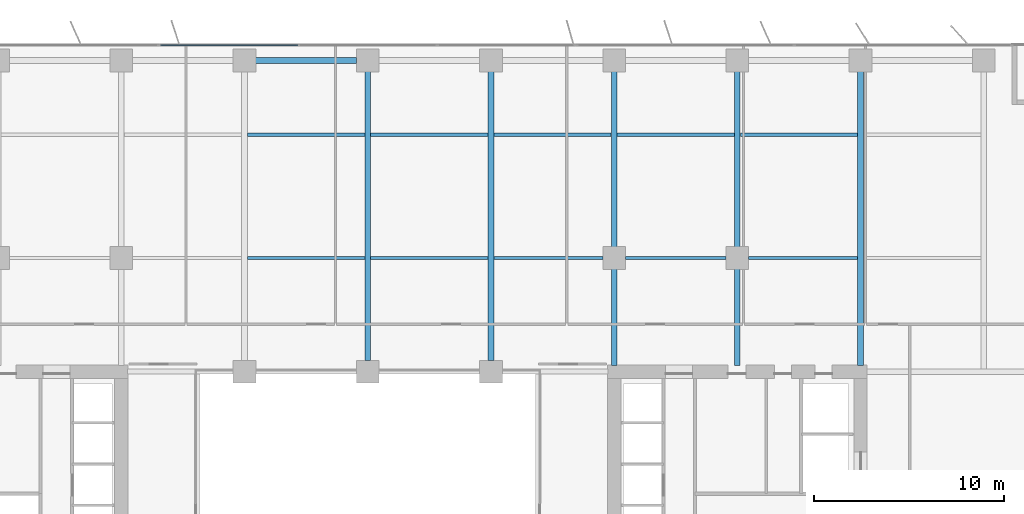
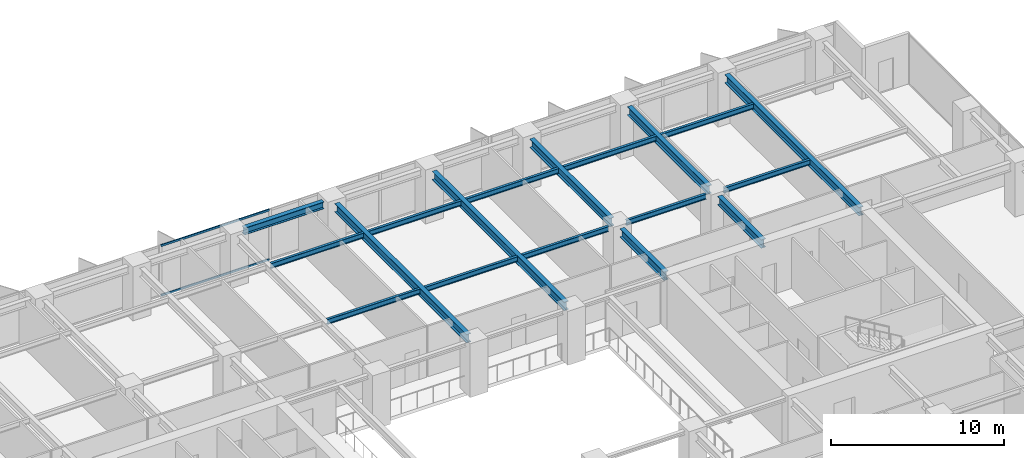
# One storey, part 8 of 20: 18 beams, 2 members, 1 element without a shape of its own.
"""IFC4 building model written with IfcOpenShell, lengths in metres."""

from ifc_helpers import new_model, si_unit, direction, frame, origin, origin_2d, place, context, subcontext, project, spatial, rectangle, i_section, extrude, material, layer, layer_set, material_profile, profile_set, type_object, element, aggregate, save


model = new_model("IFC4")

# Units and contexts
model_context = context("Model", 3, precision=1e-05, world=origin(), true_north=direction((0.0, 1.0)))
body_context = subcontext(model_context, "Body", "Model", "MODEL_VIEW")
ifc_project = project(units=[si_unit("LENGTHUNIT", "METRE"), si_unit("AREAUNIT", "SQUARE_METRE"), si_unit("VOLUMEUNIT", "CUBIC_METRE"), si_unit("PLANEANGLEUNIT", "RADIAN"), si_unit("MASSUNIT", "GRAM", prefix="KILO")], contexts=[model_context])

# Site, building, storey
site_placement = place(None, origin())
site = spatial("IfcSite", under=ifc_project, at=site_placement, CompositionType="ELEMENT")
building_placement = place(site_placement, origin())
building = spatial("IfcBuilding", under=site, at=building_placement, Name="Putna Gate Headquarters", CompositionType="ELEMENT")
storey_placement = place(building_placement, frame((0.0, 0.0, 124.0)))
storey = spatial("IfcBuildingStorey", under=building, at=storey_placement, Name="L30", CompositionType="ELEMENT", Elevation=124.0)

# Beams
ifc_material_1 = material(Name="Steel S355J2", Category="steel")
ifc_material_profile_1 = material_profile(ifc_material_1, i_section(OverallWidth=0.300048828125, OverallDepth=0.60009765625, WebThickness=0.015380859375, FlangeThickness=0.030029296875, at=origin_2d()), Name="Steel S355J2")
ifc_profile_set_1 = profile_set([ifc_material_profile_1], Name="Steel S355J2")
beam_type_1 = type_object("IfcBeamType", Name="BM-GIRD-Z2-HEB600", PredefinedType="USERDEFINED", material=ifc_profile_set_1)
for number, where, z_axis, x_axis, name in (
    (1, (39.0, 33.587890625, 3.264892578125), (0.0, 1.0, 0.0), (-1.0, 0.0, 0.0), "L30 North Primary Girder X39"),
    (2, (45.5, 33.587890625, 3.264892578125), (0.0, 1.0, 0.0), (-1.0, 0.0, 0.0), "L30 North Primary Girder X45"),
):
    element("IfcBeam", number, at=place(storey_placement, frame(where, z_axis=z_axis, x_axis=x_axis)), inside=storey, type_object=beam_type_1, Name=name, ObjectType="GIRDER", PredefinedType="USERDEFINED", context=body_context, shape_type="SweptSolid", body=[
        extrude(i_section(OverallWidth=0.300048828125, OverallDepth=0.60009765625, WebThickness=0.015380859375, FlangeThickness=0.030029296875, at=origin_2d()), origin(), (0.0, 0.0, 1.0), 15.244140625),
    ])
beam_1_placement = place(storey_placement, frame((52.0, 33.3349609375, 3.264892578125), z_axis=(0.0, 1.0, 0.0), x_axis=(-1.0, 0.0, 0.0)))
element("IfcBeam", 3, at=beam_1_placement, inside=storey, type_object=beam_type_1, Name="L30 North Primary Girder X52-1", ObjectType="GIRDER", PredefinedType="USERDEFINED", context=body_context, shape_type="SweptSolid", body=[
    extrude(i_section(OverallWidth=0.300048828125, OverallDepth=0.60009765625, WebThickness=0.015380859375, FlangeThickness=0.030029296875, at=origin_2d()), origin(), (0.0, 0.0, 1.0), 5.0771484375),
])
beam_2_placement = place(storey_placement, frame((52.0, 39.587890625, 3.264892578125), z_axis=(0.0, 1.0, 0.0), x_axis=(-1.0, 0.0, 0.0)))
element("IfcBeam", 4, at=beam_2_placement, inside=storey, type_object=beam_type_1, Name="L30 North Primary Girder X52-2", ObjectType="GIRDER", PredefinedType="USERDEFINED", context=body_context, shape_type="SweptSolid", body=[
    extrude(i_section(OverallWidth=0.300048828125, OverallDepth=0.60009765625, WebThickness=0.015380859375, FlangeThickness=0.030029296875, at=origin_2d()), origin(), (0.0, 0.0, 1.0), 9.244140625),
])
beam_3_placement = place(storey_placement, frame((58.5, 33.3349609375, 3.264892578125), z_axis=(0.0, 1.0, 0.0), x_axis=(-1.0, 0.0, 0.0)))
element("IfcBeam", 5, at=beam_3_placement, inside=storey, type_object=beam_type_1, Name="L30 North Primary Girder X58-1", ObjectType="GIRDER", PredefinedType="USERDEFINED", context=body_context, shape_type="SweptSolid", body=[
    extrude(i_section(OverallWidth=0.300048828125, OverallDepth=0.60009765625, WebThickness=0.015380859375, FlangeThickness=0.030029296875, at=origin_2d()), origin(), (0.0, 0.0, 1.0), 5.0771484375),
])
beam_4_placement = place(storey_placement, frame((58.5, 39.587890625, 3.264892578125), z_axis=(0.0, 1.0, 0.0), x_axis=(-1.0, 0.0, 0.0)))
element("IfcBeam", 6, at=beam_4_placement, inside=storey, type_object=beam_type_1, Name="L30 North Primary Girder X58-2", ObjectType="GIRDER", PredefinedType="USERDEFINED", context=body_context, shape_type="SweptSolid", body=[
    extrude(i_section(OverallWidth=0.300048828125, OverallDepth=0.60009765625, WebThickness=0.015380859375, FlangeThickness=0.030029296875, at=origin_2d()), origin(), (0.0, 0.0, 1.0), 9.244140625),
])
beam_5_placement = place(storey_placement, frame((65.0, 33.3349609375, 3.264892578125), z_axis=(0.0, 1.0, 0.0), x_axis=(-1.0, 0.0, 0.0)))
element("IfcBeam", 7, at=beam_5_placement, inside=storey, type_object=beam_type_1, Name="L30 North Primary Girder X65", ObjectType="GIRDER", PredefinedType="USERDEFINED", context=body_context, shape_type="SweptSolid", body=[
    extrude(i_section(OverallWidth=0.300048828125, OverallDepth=0.60009765625, WebThickness=0.015380859375, FlangeThickness=0.030029296875, at=origin_2d()), origin(), (0.0, 0.0, 1.0), 15.4970703125),
])
ifc_material_profile_2 = material_profile(ifc_material_1, i_section(OverallWidth=0.169921875, OverallDepth=0.360107421875, WebThickness=0.008056640625, FlangeThickness=0.0126953125, at=origin_2d()), Name="Steel S355J2")
ifc_profile_set_2 = profile_set([ifc_material_profile_2], Name="Steel S355J2")
beam_type_2 = type_object("IfcBeamType", Name="BM-SEC-Z2-IPE360", PredefinedType="BEAM", material=ifc_profile_set_2)
for number, where, z_axis, x_axis, name in (
    (8, (32.654052734375, 39.0, 3.385009765625), (1.0, 0.0, 0.0), (0.0, 1.0, 0.0), "L30 North Secondary Beam 5"),
    (9, (32.654052734375, 45.5, 3.385009765625), (1.0, 0.0, 0.0), (0.0, 1.0, 0.0), "L30 North Secondary Beam 5"),
    (10, (39.154052734375, 39.0, 3.385009765625), (1.0, 0.0, 0.0), (0.0, 1.0, 0.0), "L30 North Secondary Beam 6"),
    (11, (39.154052734375, 45.5, 3.385009765625), (1.0, 0.0, 0.0), (0.0, 1.0, 0.0), "L30 North Secondary Beam 6"),
):
    element("IfcBeam", number, at=place(storey_placement, frame(where, z_axis=z_axis, x_axis=x_axis)), inside=storey, type_object=beam_type_2, Name=name, PredefinedType="BEAM", context=body_context, shape_type="SweptSolid", body=[
        extrude(i_section(OverallWidth=0.169921875, OverallDepth=0.360107421875, WebThickness=0.008056640625, FlangeThickness=0.0126953125, at=origin_2d()), origin(), (0.0, 0.0, 1.0), 6.19189453125),
    ])
beam_6_placement = place(storey_placement, frame((45.654052734375, 39.0, 3.385009765625), z_axis=(1.0, 0.0, 0.0), x_axis=(0.0, 1.0, 0.0)))
element("IfcBeam", 12, at=beam_6_placement, inside=storey, type_object=beam_type_2, Name="L30 North Secondary Beam 7", PredefinedType="BEAM", context=body_context, shape_type="SweptSolid", body=[
    extrude(i_section(OverallWidth=0.169921875, OverallDepth=0.360107421875, WebThickness=0.008056640625, FlangeThickness=0.0126953125, at=origin_2d()), origin(), (0.0, 0.0, 1.0), 5.758056640625),
])
beam_7_placement = place(storey_placement, frame((45.654052734375, 45.5, 3.385009765625), z_axis=(1.0, 0.0, 0.0), x_axis=(0.0, 1.0, 0.0)))
element("IfcBeam", 13, at=beam_7_placement, inside=storey, type_object=beam_type_2, Name="L30 North Secondary Beam 7", PredefinedType="BEAM", context=body_context, shape_type="SweptSolid", body=[
    extrude(i_section(OverallWidth=0.169921875, OverallDepth=0.360107421875, WebThickness=0.008056640625, FlangeThickness=0.0126953125, at=origin_2d()), origin(), (0.0, 0.0, 1.0), 6.19189453125),
])
beam_8_placement = place(storey_placement, frame((52.587890625, 39.0, 3.385009765625), z_axis=(1.0, 0.0, 0.0), x_axis=(0.0, 1.0, 0.0)))
element("IfcBeam", 14, at=beam_8_placement, inside=storey, type_object=beam_type_2, Name="L30 North Secondary Beam 8", PredefinedType="BEAM", context=body_context, shape_type="SweptSolid", body=[
    extrude(i_section(OverallWidth=0.169921875, OverallDepth=0.360107421875, WebThickness=0.008056640625, FlangeThickness=0.0126953125, at=origin_2d()), origin(), (0.0, 0.0, 1.0), 5.32421875),
])
beam_9_placement = place(storey_placement, frame((52.154052734375, 45.5, 3.385009765625), z_axis=(1.0, 0.0, 0.0), x_axis=(0.0, 1.0, 0.0)))
element("IfcBeam", 15, at=beam_9_placement, inside=storey, type_object=beam_type_2, Name="L30 North Secondary Beam 8", PredefinedType="BEAM", context=body_context, shape_type="SweptSolid", body=[
    extrude(i_section(OverallWidth=0.169921875, OverallDepth=0.360107421875, WebThickness=0.008056640625, FlangeThickness=0.0126953125, at=origin_2d()), origin(), (0.0, 0.0, 1.0), 6.19189453125),
])
beam_10_placement = place(storey_placement, frame((59.087890625, 39.0, 3.385009765625), z_axis=(1.0, 0.0, 0.0), x_axis=(0.0, 1.0, 0.0)))
element("IfcBeam", 16, at=beam_10_placement, inside=storey, type_object=beam_type_2, Name="L30 North Secondary Beam 9", PredefinedType="BEAM", context=body_context, shape_type="SweptSolid", body=[
    extrude(i_section(OverallWidth=0.169921875, OverallDepth=0.360107421875, WebThickness=0.008056640625, FlangeThickness=0.0126953125, at=origin_2d()), origin(), (0.0, 0.0, 1.0), 5.758056640625),
])
beam_11_placement = place(storey_placement, frame((58.654052734375, 45.5, 3.385009765625), z_axis=(1.0, 0.0, 0.0), x_axis=(0.0, 1.0, 0.0)))
element("IfcBeam", 17, at=beam_11_placement, inside=storey, type_object=beam_type_2, Name="L30 North Secondary Beam 9", PredefinedType="BEAM", context=body_context, shape_type="SweptSolid", body=[
    extrude(i_section(OverallWidth=0.169921875, OverallDepth=0.360107421875, WebThickness=0.008056640625, FlangeThickness=0.0126953125, at=origin_2d()), origin(), (0.0, 0.0, 1.0), 6.19189453125),
])
ifc_material_profile_3 = material_profile(ifc_material_1, i_section(OverallWidth=0.300048828125, OverallDepth=0.489990234375, WebThickness=0.011962890625, FlangeThickness=0.02294921875, at=origin_2d()), Name="Steel S355J2")
ifc_profile_set_3 = profile_set([ifc_material_profile_3], Name="Steel S355J2")
beam_type_3 = type_object("IfcBeamType", Name="BM-SPAN-Z2-HEA500", PredefinedType="SPANDREL", material=ifc_profile_set_3)
beam_12_placement = place(storey_placement, frame((33.087890625, 49.419921875, 3.320068359375), z_axis=(1.0, 0.0, 0.0), x_axis=(0.0, 1.0, 0.0)))
element("IfcBeam", 18, at=beam_12_placement, inside=storey, type_object=beam_type_3, Name="L30 N Perimeter Spandrel 5", PredefinedType="SPANDREL", context=body_context, shape_type="SweptSolid", body=[
    extrude(i_section(OverallWidth=0.300048828125, OverallDepth=0.489990234375, WebThickness=0.011962890625, FlangeThickness=0.02294921875, at=origin_2d()), origin(), (0.0, 0.0, 1.0), 5.32421875),
])

# Curtain wall, members
ifc_material_2 = material(Name="Anodised bronze aluminium curtain wall", Category="aluminium")
ifc_layer = layer(ifc_material_2, 0.179931640625)
ifc_layer_set = layer_set([ifc_layer], Name="Anodised bronze aluminium curtain wall")
curtain_wall_type = type_object("IfcCurtainWallType", Name="CW-SYS-ATR", PredefinedType="USERDEFINED", material=ifc_layer_set)
curtain_wall_placement = place(storey_placement, origin())
curtain_wall = element("IfcCurtainWall", 19, at=curtain_wall_placement, inside=storey, type_object=curtain_wall_type, Name="L30 North Atrium Clear Glazing", ObjectType="ATRIUM GLAZING", PredefinedType="USERDEFINED")
ifc_material_3 = material(Name="Anodised bronze aluminium EN AW-6060", Category="aluminium")
ifc_material_profile_4 = material_profile(ifc_material_3, rectangle(XDim=0.070068359375, YDim=0.139892578125, at=origin_2d()), Name="Anodised bronze aluminium EN AW-6060")
ifc_profile_set_4 = profile_set([ifc_material_profile_4], Name="Anodised bronze aluminium EN AW-6060")
member_type = type_object("IfcMemberType", Name="TRAN-CWT-AT", PredefinedType="USERDEFINED", material=ifc_profile_set_4)
member_1_placement = place(storey_placement, frame((28.070068359375, 50.219970703125, 0.034912109375), z_axis=(1.0, 0.0, 0.0), x_axis=(0.0, 1.0, 0.0)))
member_1 = element("IfcMember", 20, at=member_1_placement, type_object=member_type, Name="CWS-AT transom 1.1", ObjectType="TRANSOM", PredefinedType="USERDEFINED", context=body_context, shape_type="SweptSolid", body=[
    extrude(rectangle(XDim=0.070068359375, YDim=0.139892578125, at=origin_2d()), origin(), (0.0, 0.0, 1.0), 7.228271484375),
])
member_2_placement = place(storey_placement, frame((28.070068359375, 50.219970703125, 3.530029296875), z_axis=(1.0, 0.0, 0.0), x_axis=(0.0, 1.0, 0.0)))
member_2 = element("IfcMember", 21, at=member_2_placement, type_object=member_type, Name="CWS-AT transom 1.2", ObjectType="TRANSOM", PredefinedType="USERDEFINED", context=body_context, shape_type="SweptSolid", body=[
    extrude(rectangle(XDim=0.070068359375, YDim=0.139892578125, at=origin_2d()), origin(), (0.0, 0.0, 1.0), 7.228271484375),
])
aggregate(curtain_wall, [member_1, member_2])

save(model, "model.ifc")
